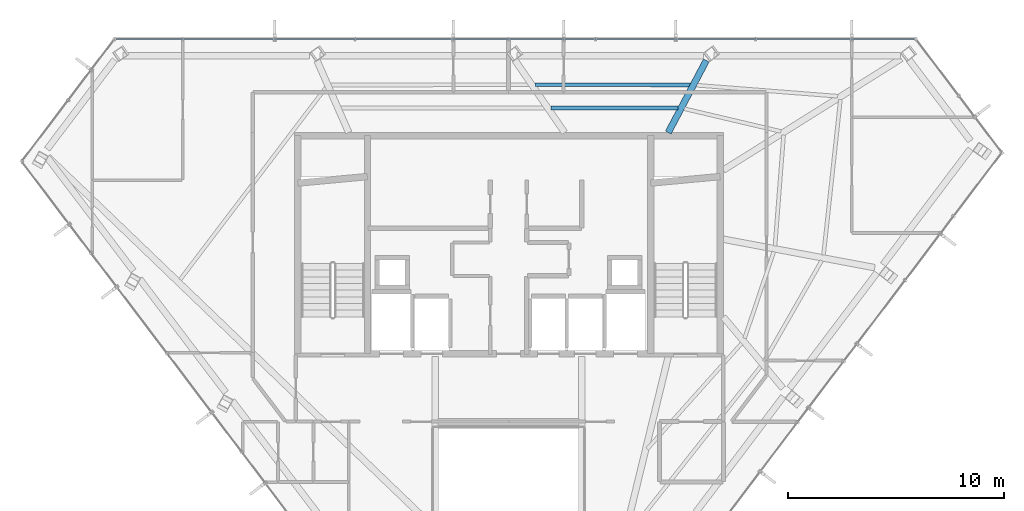
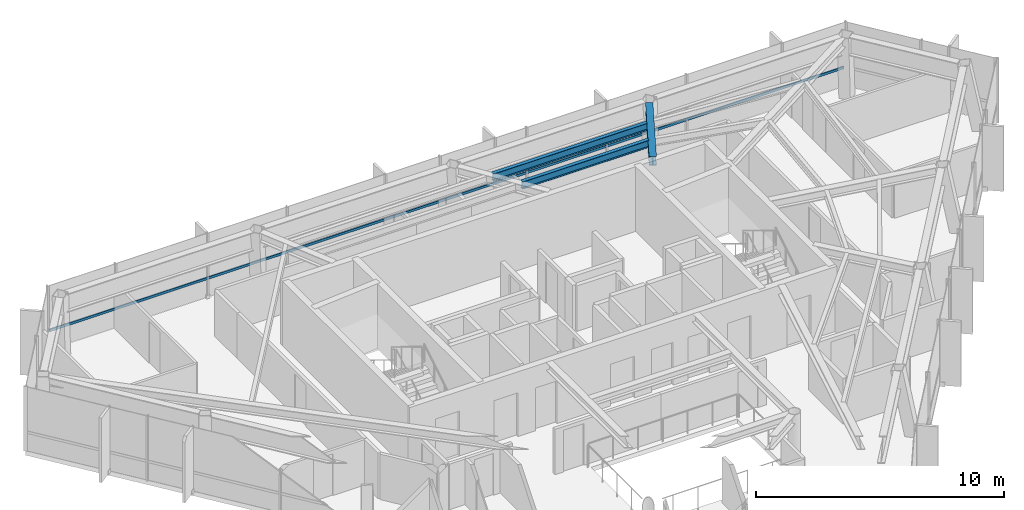
# One storey, part 14 of 26: 3 beams, 1 member, 1 element without a shape of its own.
"""IFC4 building model written with IfcOpenShell, lengths in metres."""

from ifc_helpers import new_model, si_unit, direction, frame, origin, origin_2d, place, context, subcontext, project, spatial, hollow_rectangle, i_section, extrude, material, layer, layer_set, material_profile, profile_set, type_object, element, aggregate, save


model = new_model("IFC4")

# Units and contexts
model_context = context("Model", 3, precision=1e-05, world=origin(), true_north=direction((0.0, 1.0)))
body_context = subcontext(model_context, "Body", "Model", "MODEL_VIEW")
ifc_project = project(units=[si_unit("LENGTHUNIT", "METRE"), si_unit("AREAUNIT", "SQUARE_METRE"), si_unit("VOLUMEUNIT", "CUBIC_METRE"), si_unit("PLANEANGLEUNIT", "RADIAN"), si_unit("MASSUNIT", "GRAM", prefix="KILO")], contexts=[model_context])

# Site, building, storey
site_placement = place(None, origin())
site = spatial("IfcSite", under=ifc_project, at=site_placement, CompositionType="ELEMENT")
building_placement = place(site_placement, origin())
building = spatial("IfcBuilding", under=site, at=building_placement, Name="Zarrinselat Tower", CompositionType="ELEMENT")
storey_placement = place(building_placement, frame((0.0, 0.0, 265.199951171875)))
storey = spatial("IfcBuildingStorey", under=building, at=storey_placement, Name="L67", CompositionType="ELEMENT", Elevation=265.199951171875)

# Beams
ifc_material_1 = material(Name="Steel S355J2", Category="steel")
ifc_material_profile_1 = material_profile(ifc_material_1, i_section(OverallWidth=0.300048828125, OverallDepth=0.449951171875, WebThickness=0.013916015625, FlangeThickness=0.02587890625, at=origin_2d()), Name="HEB 450")
ifc_profile_set_1 = profile_set([ifc_material_profile_1], Name="Steel S355J2")
beam_type_1 = type_object("IfcBeamType", Name="BM-HEB450", PredefinedType="BEAM", material=ifc_profile_set_1)
beam_1_placement = place(storey_placement, frame((45.800048828125, 43.5400390625, 2.955078125), z_axis=(0.466849980871, 0.884336528343, 0.0), x_axis=(-0.884336528343, 0.466849980871, 0.0)))
element("IfcBeam", 1, at=beam_1_placement, inside=storey, type_object=beam_type_1, Name="L67 Radial Primary Girder RG02", PredefinedType="BEAM", context=body_context, shape_type="SweptSolid", body=[
    extrude(i_section(OverallWidth=0.300048828125, OverallDepth=0.449951171875, WebThickness=0.013916015625, FlangeThickness=0.02587890625, at=origin_2d()), origin(), (0.0, 0.0, 1.0), 3.773681640625),
])
ifc_material_2 = material(Name="Steel S355J2", Category="steel")
ifc_material_profile_2 = material_profile(ifc_material_2, i_section(OverallWidth=0.169921875, OverallDepth=0.360107421875, WebThickness=0.008056640625, FlangeThickness=0.0126953125, at=origin_2d()), Name="IPE 360")
ifc_profile_set_2 = profile_set([ifc_material_profile_2], Name="Steel S355J2")
beam_type_2 = type_object("IfcBeamType", Name="BM-IPE360", PredefinedType="JOIST", material=ifc_profile_set_2)
beam_2_placement = place(storey_placement, frame((39.62060546875, 45.752197265625, 3.0), z_axis=(0.999999126114, -0.001322032743, 0.0), x_axis=(0.001322032743, 0.999999126114, 0.0)))
element("IfcBeam", 2, at=beam_2_placement, inside=storey, type_object=beam_type_2, Name="L67 Composite Floor Joist 7-1", PredefinedType="JOIST", context=body_context, shape_type="SweptSolid", body=[
    extrude(i_section(OverallWidth=0.169921875, OverallDepth=0.360107421875, WebThickness=0.008056640625, FlangeThickness=0.0126953125, at=origin_2d()), origin(), (0.0, 0.0, 1.0), 7.2021484375),
])
beam_3_placement = place(storey_placement, frame((40.357421875, 44.6796875, 3.0), z_axis=(0.99999965773, -0.000827369096, 0.0), x_axis=(0.000827369096, 0.99999965773, 0.0)))
element("IfcBeam", 3, at=beam_3_placement, inside=storey, type_object=beam_type_2, Name="L67 Composite Floor Joist 7-2", PredefinedType="JOIST", context=body_context, shape_type="SweptSolid", body=[
    extrude(i_section(OverallWidth=0.169921875, OverallDepth=0.360107421875, WebThickness=0.008056640625, FlangeThickness=0.0126953125, at=origin_2d()), origin(), (0.0, 0.0, 1.0), 5.901611328125),
])

# Curtain wall, member
ifc_material_3 = material(Name="Extruded Aluminium Alloy EN AW-6063 T6", Category="aluminium")
ifc_layer = layer(ifc_material_3, 0.169921875)
ifc_layer_set = layer_set([ifc_layer], Name="Extruded Aluminium Alloy EN AW-6063 T6")
curtain_wall_type = type_object("IfcCurtainWallType", Name="CWS-RES", PredefinedType="NOTDEFINED", material=ifc_layer_set)
curtain_wall_placement = place(storey_placement, origin())
curtain_wall = element("IfcCurtainWall", 4, at=curtain_wall_placement, inside=storey, type_object=curtain_wall_type, Name="L67 Unitised Curtain Wall CW-L67-E01", PredefinedType="NOTDEFINED")
ifc_material_4 = material(Name="Extruded Aluminium Alloy EN AW-6063 T6", Category="aluminium")
ifc_material_profile_3 = material_profile(ifc_material_4, hollow_rectangle(XDim=0.06005859375, YDim=0.1201171875, WallThickness=0.00390625, at=origin_2d()), Name="RHS 120x60x4")
ifc_profile_set_3 = profile_set([ifc_material_profile_3], Name="Extruded Aluminium Alloy EN AW-6063 T6")
member_type = type_object("IfcMemberType", Name="MEM-CW-TRN2", PredefinedType="USERDEFINED", material=ifc_profile_set_3)
member_placement = place(storey_placement, frame((57.1845703125, 47.86669921875, 0.949951171875), z_axis=(-1.0, 0.0, 0.0), x_axis=(0.0, -1.0, 0.0)))
member = element("IfcMember", 5, at=member_placement, type_object=member_type, Name="CW-L67-E01 Transom 1", ObjectType="TRANSOM", PredefinedType="USERDEFINED", context=body_context, shape_type="SweptSolid", body=[
    extrude(hollow_rectangle(XDim=0.06005859375, YDim=0.1201171875, WallThickness=0.00390625, at=origin_2d()), origin(), (0.0, 0.0, 1.0), 36.941162109375),
])
aggregate(curtain_wall, [member])

save(model, "model.ifc")
